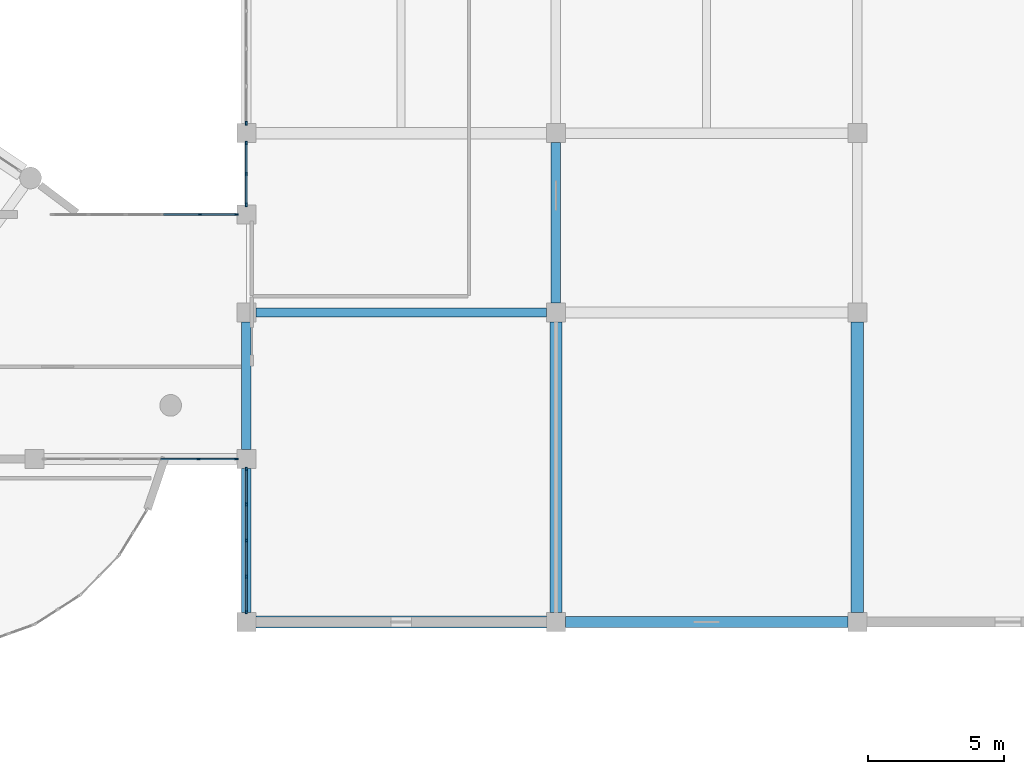
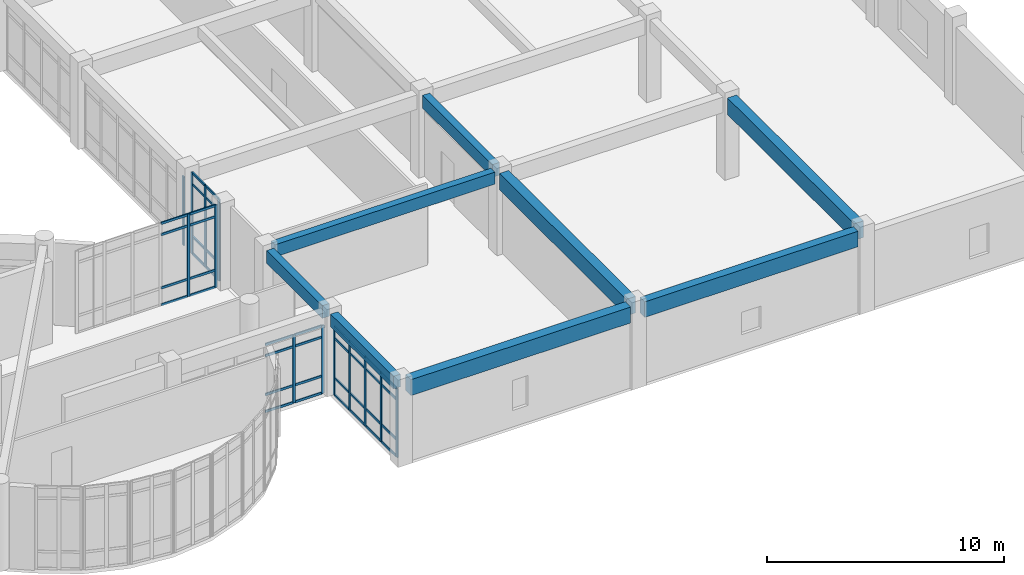
# One storey, part 23 of 57: 53 members, 8 beams, 5 elements without a shape of their own.
"""IFC4 building model written with IfcOpenShell, lengths in metres."""

from ifc_helpers import new_model, si_unit, direction, frame, origin, origin_2d, place, context, subcontext, project, spatial, rectangle, extrude, material, layer, layer_set, material_profile, profile_set, type_object, element, aggregate, save


model = new_model("IFC4")

# Units and contexts
model_context = context("Model", 3, precision=1e-05, world=origin(), true_north=direction((0.0, 1.0)))
body_context = subcontext(model_context, "Body", "Model", "MODEL_VIEW")
ifc_project = project(units=[si_unit("LENGTHUNIT", "METRE"), si_unit("AREAUNIT", "SQUARE_METRE"), si_unit("VOLUMEUNIT", "CUBIC_METRE"), si_unit("PLANEANGLEUNIT", "RADIAN"), si_unit("MASSUNIT", "GRAM", prefix="KILO")], contexts=[model_context])

# Site, building, storey
site_placement = place(None, origin())
site = spatial("IfcSite", under=ifc_project, at=site_placement, CompositionType="ELEMENT")
building_placement = place(site_placement, origin())
building = spatial("IfcBuilding", under=site, at=building_placement, Name="Miralva Faculty of Natural Sciences", CompositionType="ELEMENT")
storey_placement = place(building_placement, frame((0.0, 0.0, 15.0)))
storey = spatial("IfcBuildingStorey", under=building, at=storey_placement, Name="L03", CompositionType="ELEMENT", Elevation=15.0)

# Beams
ifc_material_1 = material(Name="Concrete C40/50", Category="concrete")
ifc_material_profile_1 = material_profile(ifc_material_1, rectangle(XDim=0.449951171875, YDim=0.85009765625, at=origin_2d()), Name="RC 450x850")
ifc_profile_set_1 = profile_set([ifc_material_profile_1], Name="Concrete C40/50")
beam_type_1 = type_object("IfcBeamType", Name="BM-B01", PredefinedType="BEAM", material=ifc_profile_set_1)
for number, where, z_axis, x_axis, name in (
    (1, (145.199951171875, 12.35009765625, 3.784912109375), (0.0, 1.0, 0.0), (-1.0, 0.0, 0.0), "Girder NS L03-119"),
    (2, (156.300048828125, 12.35009765625, 3.784912109375), (0.0, 1.0, 0.0), (-1.0, 0.0, 0.0), "Girder NS L03-126"),
):
    element("IfcBeam", number, at=place(storey_placement, frame(where, z_axis=z_axis, x_axis=x_axis)), inside=storey, type_object=beam_type_1, Name=name, PredefinedType="BEAM", context=body_context, shape_type="SweptSolid", body=[
        extrude(rectangle(XDim=0.449951171875, YDim=0.85009765625, at=origin_2d()), origin(), (0.0, 0.0, 1.0), 10.699951171875),
    ])
ifc_material_profile_2 = material_profile(ifc_material_1, rectangle(XDim=0.39990234375, YDim=0.800048828125, at=origin_2d()), Name="RC 400x800")
ifc_profile_set_2 = profile_set([ifc_material_profile_2], Name="Concrete C40/50")
beam_type_2 = type_object("IfcBeamType", Name="BM-B02", PredefinedType="BEAM", material=ifc_profile_set_2)
beam_1_placement = place(storey_placement, frame((145.550048828125, 12.0, 3.81005859375), z_axis=(1.0, 0.0, 0.0), x_axis=(0.0, 1.0, 0.0)))
element("IfcBeam", 3, at=beam_1_placement, inside=storey, type_object=beam_type_2, Name="Girder EW L03-12", PredefinedType="BEAM", context=body_context, shape_type="SweptSolid", body=[
    extrude(rectangle(XDim=0.39990234375, YDim=0.800048828125, at=origin_2d()), origin(), (0.0, 0.0, 1.0), 10.39990234375),
])
ifc_material_profile_3 = material_profile(ifc_material_1, rectangle(XDim=0.35009765625, YDim=0.64990234375, at=origin_2d()), Name="RC 350x650")
ifc_profile_set_3 = profile_set([ifc_material_profile_3], Name="Concrete C40/50")
beam_type_3 = type_object("IfcBeamType", Name="BM-B05", PredefinedType="BEAM", material=ifc_profile_set_3)
beam_2_placement = place(storey_placement, frame((133.800048828125, 12.35009765625, 3.885009765625), z_axis=(0.0, 1.0, 0.0), x_axis=(-1.0, 0.0, 0.0)))
element("IfcBeam", 4, at=beam_2_placement, inside=storey, type_object=beam_type_3, Name="Girder NS L03-112", PredefinedType="BEAM", context=body_context, shape_type="SweptSolid", body=[
    extrude(rectangle(XDim=0.35009765625, YDim=0.64990234375, at=origin_2d()), origin(), (0.0, 0.0, 1.0), 5.2998046875),
])
beam_3_placement = place(storey_placement, frame((133.800048828125, 18.35009765625, 3.885009765625), z_axis=(0.0, 1.0, 0.0), x_axis=(-1.0, 0.0, 0.0)))
element("IfcBeam", 5, at=beam_3_placement, inside=storey, type_object=beam_type_3, Name="Girder NS L03-113", PredefinedType="BEAM", context=body_context, shape_type="SweptSolid", body=[
    extrude(rectangle(XDim=0.35009765625, YDim=0.64990234375, at=origin_2d()), origin(), (0.0, 0.0, 1.0), 4.699951171875),
])
beam_4_placement = place(storey_placement, frame((145.199951171875, 23.75, 3.885009765625), z_axis=(0.0, 1.0, 0.0), x_axis=(-1.0, 0.0, 0.0)))
element("IfcBeam", 6, at=beam_4_placement, inside=storey, type_object=beam_type_3, Name="Girder NS L03-120", PredefinedType="BEAM", context=body_context, shape_type="SweptSolid", body=[
    extrude(rectangle(XDim=0.35009765625, YDim=0.64990234375, at=origin_2d()), origin(), (0.0, 0.0, 1.0), 5.89990234375),
])
ifc_material_profile_4 = material_profile(ifc_material_1, rectangle(XDim=0.340087890625, YDim=0.6201171875, at=origin_2d()), Name="RC 340x620")
ifc_profile_set_4 = profile_set([ifc_material_profile_4], Name="Concrete C40/50")
beam_type_4 = type_object("IfcBeamType", Name="BM-BG03", PredefinedType="BEAM", material=ifc_profile_set_4)
beam_5_placement = place(storey_placement, frame((134.14990234375, 23.39990234375, 3.89990234375), z_axis=(1.0, 0.0, 0.0), x_axis=(0.0, 1.0, 0.0)))
element("IfcBeam", 7, at=beam_5_placement, inside=storey, type_object=beam_type_4, Name="Girder EW L03-21", PredefinedType="BEAM", context=body_context, shape_type="SweptSolid", body=[
    extrude(rectangle(XDim=0.340087890625, YDim=0.6201171875, at=origin_2d()), origin(), (0.0, 0.0, 1.0), 10.7001953125),
])
ifc_material_profile_5 = material_profile(ifc_material_1, rectangle(XDim=0.4599609375, YDim=0.820068359375, at=origin_2d()), Name="RC 460x820")
ifc_profile_set_5 = profile_set([ifc_material_profile_5], Name="Concrete C40/50")
beam_type_5 = type_object("IfcBeamType", Name="BM-BG15", PredefinedType="BEAM", material=ifc_profile_set_5)
beam_6_placement = place(storey_placement, frame((134.14990234375, 12.0, 3.800048828125), z_axis=(1.0, 0.0, 0.0), x_axis=(0.0, 1.0, 0.0)))
element("IfcBeam", 8, at=beam_6_placement, inside=storey, type_object=beam_type_5, Name="Girder EW L03-11", PredefinedType="BEAM", context=body_context, shape_type="SweptSolid", body=[
    extrude(rectangle(XDim=0.4599609375, YDim=0.820068359375, at=origin_2d()), origin(), (0.0, 0.0, 1.0), 10.7001953125),
])

# Curtain wall, members
ifc_material_2 = material(Name="Laminated solar-control glass", Category="glass")
ifc_layer_1 = layer(ifc_material_2, 0.179931640625, Name="CW-COM-L03")
ifc_layer_set_1 = layer_set([ifc_layer_1], Name="Laminated solar-control glass")
curtain_wall_type_1 = type_object("IfcCurtainWallType", Name="CW-COM-L03", PredefinedType="USERDEFINED", material=ifc_layer_set_1)
curtain_wall_1_placement = place(storey_placement, origin())
curtain_wall_1 = element("IfcCurtainWall", 9, at=curtain_wall_1_placement, inside=storey, type_object=curtain_wall_type_1, Name="Curtain wall CW-11 L03-275", ObjectType="UNITISED CURTAIN WALL", PredefinedType="USERDEFINED")
ifc_material_3 = material(Name="Anodised aluminium", Category="aluminium")
ifc_material_profile_6 = material_profile(ifc_material_3, rectangle(XDim=0.06005859375, YDim=0.139892578125, at=origin_2d()), Name="MULLION 60x140")
ifc_profile_set_6 = profile_set([ifc_material_profile_6], Name="Anodised aluminium")
member_type_1 = type_object("IfcMemberType", Name="CW-M03", PredefinedType="MULLION", material=ifc_profile_set_6)
member_1_placement = place(storey_placement, frame((133.800048828125, 12.364990234375, 0.0), z_axis=(0.0, 0.0, 1.0), x_axis=(-1.0, 0.0, 0.0)))
member_1 = element("IfcMember", 10, at=member_1_placement, type_object=member_type_1, Name="CW-11 mullion 1", PredefinedType="MULLION", context=body_context, shape_type="SweptSolid", body=[
    extrude(rectangle(XDim=0.06005859375, YDim=0.139892578125, at=origin_2d()), origin(), (0.0, 0.0, 1.0), 3.554931640625),
])
member_2_placement = place(storey_placement, frame((133.800048828125, 13.66748046875, 0.0), z_axis=(0.0, 0.0, 1.0), x_axis=(-1.0, 0.0, 0.0)))
member_2 = element("IfcMember", 11, at=member_2_placement, type_object=member_type_1, Name="CW-11 mullion 2", PredefinedType="MULLION", context=body_context, shape_type="SweptSolid", body=[
    extrude(rectangle(XDim=0.06005859375, YDim=0.139892578125, at=origin_2d()), origin(), (0.0, 0.0, 1.0), 3.554931640625),
])
member_3_placement = place(storey_placement, frame((133.800048828125, 15.0, 0.0), z_axis=(0.0, 0.0, 1.0), x_axis=(-1.0, 0.0, 0.0)))
member_3 = element("IfcMember", 12, at=member_3_placement, type_object=member_type_1, Name="CW-11 mullion 3", PredefinedType="MULLION", context=body_context, shape_type="SweptSolid", body=[
    extrude(rectangle(XDim=0.06005859375, YDim=0.139892578125, at=origin_2d()), origin(), (0.0, 0.0, 1.0), 3.554931640625),
])
member_4_placement = place(storey_placement, frame((133.800048828125, 16.33251953125, 0.0), z_axis=(0.0, 0.0, 1.0), x_axis=(-1.0, 0.0, 0.0)))
member_4 = element("IfcMember", 13, at=member_4_placement, type_object=member_type_1, Name="CW-11 mullion 4", PredefinedType="MULLION", context=body_context, shape_type="SweptSolid", body=[
    extrude(rectangle(XDim=0.06005859375, YDim=0.139892578125, at=origin_2d()), origin(), (0.0, 0.0, 1.0), 3.554931640625),
])
member_5_placement = place(storey_placement, frame((133.800048828125, 17.635009765625, 0.0), z_axis=(0.0, 0.0, 1.0), x_axis=(-1.0, 0.0, 0.0)))
member_5 = element("IfcMember", 14, at=member_5_placement, type_object=member_type_1, Name="CW-11 mullion 5", PredefinedType="MULLION", context=body_context, shape_type="SweptSolid", body=[
    extrude(rectangle(XDim=0.06005859375, YDim=0.139892578125, at=origin_2d()), origin(), (0.0, 0.0, 1.0), 3.554931640625),
])

curtain_wall_2_placement = place(storey_placement, origin())
curtain_wall_2 = element("IfcCurtainWall", 15, at=curtain_wall_2_placement, inside=storey, type_object=curtain_wall_type_1, Name="Curtain wall CW-11 L03-276", ObjectType="UNITISED CURTAIN WALL", PredefinedType="USERDEFINED")
member_6_placement = place(storey_placement, frame((133.800048828125, 27.364990234375, 0.0), z_axis=(0.0, 0.0, 1.0), x_axis=(-1.0, 0.0, 0.0)))
member_6 = element("IfcMember", 16, at=member_6_placement, type_object=member_type_1, Name="CW-11 mullion 1", PredefinedType="MULLION", context=body_context, shape_type="SweptSolid", body=[
    extrude(rectangle(XDim=0.06005859375, YDim=0.139892578125, at=origin_2d()), origin(), (0.0, 0.0, 1.0), 4.199951171875),
])
member_7_placement = place(storey_placement, frame((133.800048828125, 28.5, 0.0), z_axis=(0.0, 0.0, 1.0), x_axis=(-1.0, 0.0, 0.0)))
member_7 = element("IfcMember", 17, at=member_7_placement, type_object=member_type_1, Name="CW-11 mullion 2", PredefinedType="MULLION", context=body_context, shape_type="SweptSolid", body=[
    extrude(rectangle(XDim=0.06005859375, YDim=0.139892578125, at=origin_2d()), origin(), (0.0, 0.0, 1.0), 4.199951171875),
])
member_8_placement = place(storey_placement, frame((133.800048828125, 29.635009765625, 0.0), z_axis=(0.0, 0.0, 1.0), x_axis=(-1.0, 0.0, 0.0)))
member_8 = element("IfcMember", 18, at=member_8_placement, type_object=member_type_1, Name="CW-11 mullion 3", PredefinedType="MULLION", context=body_context, shape_type="SweptSolid", body=[
    extrude(rectangle(XDim=0.06005859375, YDim=0.139892578125, at=origin_2d()), origin(), (0.0, 0.0, 1.0), 4.199951171875),
])

# Curtain wall, member
curtain_wall_3_placement = place(storey_placement, origin())
curtain_wall_3 = element("IfcCurtainWall", 19, at=curtain_wall_3_placement, inside=storey, type_object=curtain_wall_type_1, Name="Curtain wall CW-11 L03-277", ObjectType="UNITISED CURTAIN WALL", PredefinedType="USERDEFINED")
member_9_placement = place(storey_placement, frame((133.800048828125, 30.364990234375, 0.0), z_axis=(0.0, 0.0, 1.0), x_axis=(-1.0, 0.0, 0.0)))
member_9 = element("IfcMember", 20, at=member_9_placement, type_object=member_type_1, Name="CW-11 mullion 1", PredefinedType="MULLION", context=body_context, shape_type="SweptSolid", body=[
    extrude(rectangle(XDim=0.06005859375, YDim=0.139892578125, at=origin_2d()), origin(), (0.0, 0.0, 1.0), 3.554931640625),
])
aggregate(curtain_wall_3, [member_9])

# Curtain wall, members
ifc_layer_2 = layer(ifc_material_2, 0.179931640625, Name="CW-COM-L01")
ifc_layer_set_2 = layer_set([ifc_layer_2], Name="Laminated solar-control glass")
curtain_wall_type_2 = type_object("IfcCurtainWallType", Name="CW-COM-L01", PredefinedType="USERDEFINED", material=ifc_layer_set_2)
curtain_wall_4_placement = place(storey_placement, origin())
curtain_wall_4 = element("IfcCurtainWall", 21, at=curtain_wall_4_placement, inside=storey, type_object=curtain_wall_type_2, Name="Curtain wall CW-10 L03-302", ObjectType="UNITISED CURTAIN WALL", PredefinedType="USERDEFINED")
member_10_placement = place(storey_placement, frame((132.0390625, 18.0, 0.0), z_axis=(0.0, 0.0, 1.0), x_axis=(0.0, 1.0, 0.0)))
member_10 = element("IfcMember", 22, at=member_10_placement, type_object=member_type_1, Name="CW-10 mullion 5", PredefinedType="MULLION", context=body_context, shape_type="SweptSolid", body=[
    extrude(rectangle(XDim=0.06005859375, YDim=0.139892578125, at=origin_2d()), origin(), (0.0, 0.0, 1.0), 3.5048828125),
])
member_11_placement = place(storey_placement, frame((133.43505859375, 18.0, 0.0), z_axis=(0.0, 0.0, 1.0), x_axis=(0.0, 1.0, 0.0)))
member_11 = element("IfcMember", 23, at=member_11_placement, type_object=member_type_1, Name="CW-10 mullion 6", PredefinedType="MULLION", context=body_context, shape_type="SweptSolid", body=[
    extrude(rectangle(XDim=0.06005859375, YDim=0.139892578125, at=origin_2d()), origin(), (0.0, 0.0, 1.0), 3.5048828125),
])

curtain_wall_5_placement = place(storey_placement, origin())
curtain_wall_5 = element("IfcCurtainWall", 24, at=curtain_wall_5_placement, inside=storey, type_object=curtain_wall_type_2, Name="Curtain wall CW-10 L03-305", ObjectType="UNITISED CURTAIN WALL", PredefinedType="USERDEFINED")
member_12_placement = place(storey_placement, frame((132.095947265625, 27.0, 0.0), z_axis=(0.0, 0.0, 1.0), x_axis=(0.0, 1.0, 0.0)))
member_12 = element("IfcMember", 25, at=member_12_placement, type_object=member_type_1, Name="CW-10 mullion 5", PredefinedType="MULLION", context=body_context, shape_type="SweptSolid", body=[
    extrude(rectangle(XDim=0.06005859375, YDim=0.139892578125, at=origin_2d()), origin(), (0.0, 0.0, 1.0), 4.25),
])
member_13_placement = place(storey_placement, frame((133.43505859375, 27.0, 0.0), z_axis=(0.0, 0.0, 1.0), x_axis=(0.0, 1.0, 0.0)))
member_13 = element("IfcMember", 26, at=member_13_placement, type_object=member_type_1, Name="CW-10 mullion 6", PredefinedType="MULLION", context=body_context, shape_type="SweptSolid", body=[
    extrude(rectangle(XDim=0.06005859375, YDim=0.139892578125, at=origin_2d()), origin(), (0.0, 0.0, 1.0), 4.25),
])

# Member
ifc_material_profile_7 = material_profile(ifc_material_3, rectangle(XDim=0.06005859375, YDim=0.1201171875, at=origin_2d()), Name="TRANSOM 60x120")
ifc_profile_set_7 = profile_set([ifc_material_profile_7], Name="Anodised aluminium")
member_type_2 = type_object("IfcMemberType", Name="CW-T02", PredefinedType="USERDEFINED", material=ifc_profile_set_7)
member_14_placement = place(storey_placement, frame((133.800048828125, 12.39501953125, 0.030029296875), z_axis=(0.0, 1.0, 0.0), x_axis=(-1.0, 0.0, 0.0)))
member_14 = element("IfcMember", 27, at=member_14_placement, type_object=member_type_2, Name="CW-11 transom 1.1", ObjectType="TRANSOM", PredefinedType="USERDEFINED", context=body_context, shape_type="SweptSolid", body=[
    extrude(rectangle(XDim=0.06005859375, YDim=0.1201171875, at=origin_2d()), origin(), (0.0, 0.0, 1.0), 1.242431640625),
])

member_15_placement = place(storey_placement, frame((133.800048828125, 12.39501953125, 0.89990234375), z_axis=(0.0, 1.0, 0.0), x_axis=(-1.0, 0.0, 0.0)))
member_15 = element("IfcMember", 28, at=member_15_placement, type_object=member_type_2, Name="CW-11 transom 1.2", ObjectType="TRANSOM", PredefinedType="USERDEFINED", context=body_context, shape_type="SweptSolid", body=[
    extrude(rectangle(XDim=0.06005859375, YDim=0.1201171875, at=origin_2d()), origin(), (0.0, 0.0, 1.0), 1.242431640625),
])

member_16_placement = place(storey_placement, frame((133.800048828125, 12.39501953125, 2.955078125), z_axis=(0.0, 1.0, 0.0), x_axis=(-1.0, 0.0, 0.0)))
member_16 = element("IfcMember", 29, at=member_16_placement, type_object=member_type_2, Name="CW-11 transom 1.3", ObjectType="TRANSOM", PredefinedType="USERDEFINED", context=body_context, shape_type="SweptSolid", body=[
    extrude(rectangle(XDim=0.06005859375, YDim=0.1201171875, at=origin_2d()), origin(), (0.0, 0.0, 1.0), 1.242431640625),
])

member_17_placement = place(storey_placement, frame((133.800048828125, 12.39501953125, 3.52490234375), z_axis=(0.0, 1.0, 0.0), x_axis=(-1.0, 0.0, 0.0)))
member_17 = element("IfcMember", 30, at=member_17_placement, type_object=member_type_2, Name="CW-11 transom 1.4", ObjectType="TRANSOM", PredefinedType="USERDEFINED", context=body_context, shape_type="SweptSolid", body=[
    extrude(rectangle(XDim=0.06005859375, YDim=0.1201171875, at=origin_2d()), origin(), (0.0, 0.0, 1.0), 1.242431640625),
])

member_18_placement = place(storey_placement, frame((133.800048828125, 13.697509765625, 0.030029296875), z_axis=(0.0, 1.0, 0.0), x_axis=(-1.0, 0.0, 0.0)))
member_18 = element("IfcMember", 31, at=member_18_placement, type_object=member_type_2, Name="CW-11 transom 2.1", ObjectType="TRANSOM", PredefinedType="USERDEFINED", context=body_context, shape_type="SweptSolid", body=[
    extrude(rectangle(XDim=0.06005859375, YDim=0.1201171875, at=origin_2d()), origin(), (0.0, 0.0, 1.0), 1.2724609375),
])

member_19_placement = place(storey_placement, frame((133.800048828125, 13.697509765625, 0.89990234375), z_axis=(0.0, 1.0, 0.0), x_axis=(-1.0, 0.0, 0.0)))
member_19 = element("IfcMember", 32, at=member_19_placement, type_object=member_type_2, Name="CW-11 transom 2.2", ObjectType="TRANSOM", PredefinedType="USERDEFINED", context=body_context, shape_type="SweptSolid", body=[
    extrude(rectangle(XDim=0.06005859375, YDim=0.1201171875, at=origin_2d()), origin(), (0.0, 0.0, 1.0), 1.2724609375),
])

member_20_placement = place(storey_placement, frame((133.800048828125, 13.697509765625, 2.955078125), z_axis=(0.0, 1.0, 0.0), x_axis=(-1.0, 0.0, 0.0)))
member_20 = element("IfcMember", 33, at=member_20_placement, type_object=member_type_2, Name="CW-11 transom 2.3", ObjectType="TRANSOM", PredefinedType="USERDEFINED", context=body_context, shape_type="SweptSolid", body=[
    extrude(rectangle(XDim=0.06005859375, YDim=0.1201171875, at=origin_2d()), origin(), (0.0, 0.0, 1.0), 1.2724609375),
])

member_21_placement = place(storey_placement, frame((133.800048828125, 13.697509765625, 3.52490234375), z_axis=(0.0, 1.0, 0.0), x_axis=(-1.0, 0.0, 0.0)))
member_21 = element("IfcMember", 34, at=member_21_placement, type_object=member_type_2, Name="CW-11 transom 2.4", ObjectType="TRANSOM", PredefinedType="USERDEFINED", context=body_context, shape_type="SweptSolid", body=[
    extrude(rectangle(XDim=0.06005859375, YDim=0.1201171875, at=origin_2d()), origin(), (0.0, 0.0, 1.0), 1.2724609375),
])

member_22_placement = place(storey_placement, frame((133.800048828125, 15.030029296875, 0.030029296875), z_axis=(0.0, 1.0, 0.0), x_axis=(-1.0, 0.0, 0.0)))
member_22 = element("IfcMember", 35, at=member_22_placement, type_object=member_type_2, Name="CW-11 transom 3.1", ObjectType="TRANSOM", PredefinedType="USERDEFINED", context=body_context, shape_type="SweptSolid", body=[
    extrude(rectangle(XDim=0.06005859375, YDim=0.1201171875, at=origin_2d()), origin(), (0.0, 0.0, 1.0), 1.2724609375),
])

member_23_placement = place(storey_placement, frame((133.800048828125, 15.030029296875, 0.89990234375), z_axis=(0.0, 1.0, 0.0), x_axis=(-1.0, 0.0, 0.0)))
member_23 = element("IfcMember", 36, at=member_23_placement, type_object=member_type_2, Name="CW-11 transom 3.2", ObjectType="TRANSOM", PredefinedType="USERDEFINED", context=body_context, shape_type="SweptSolid", body=[
    extrude(rectangle(XDim=0.06005859375, YDim=0.1201171875, at=origin_2d()), origin(), (0.0, 0.0, 1.0), 1.2724609375),
])

member_24_placement = place(storey_placement, frame((133.800048828125, 15.030029296875, 2.955078125), z_axis=(0.0, 1.0, 0.0), x_axis=(-1.0, 0.0, 0.0)))
member_24 = element("IfcMember", 37, at=member_24_placement, type_object=member_type_2, Name="CW-11 transom 3.3", ObjectType="TRANSOM", PredefinedType="USERDEFINED", context=body_context, shape_type="SweptSolid", body=[
    extrude(rectangle(XDim=0.06005859375, YDim=0.1201171875, at=origin_2d()), origin(), (0.0, 0.0, 1.0), 1.2724609375),
])

member_25_placement = place(storey_placement, frame((133.800048828125, 15.030029296875, 3.52490234375), z_axis=(0.0, 1.0, 0.0), x_axis=(-1.0, 0.0, 0.0)))
member_25 = element("IfcMember", 38, at=member_25_placement, type_object=member_type_2, Name="CW-11 transom 3.4", ObjectType="TRANSOM", PredefinedType="USERDEFINED", context=body_context, shape_type="SweptSolid", body=[
    extrude(rectangle(XDim=0.06005859375, YDim=0.1201171875, at=origin_2d()), origin(), (0.0, 0.0, 1.0), 1.2724609375),
])

member_26_placement = place(storey_placement, frame((133.800048828125, 16.362548828125, 0.030029296875), z_axis=(0.0, 1.0, 0.0), x_axis=(-1.0, 0.0, 0.0)))
member_26 = element("IfcMember", 39, at=member_26_placement, type_object=member_type_2, Name="CW-11 transom 4.1", ObjectType="TRANSOM", PredefinedType="USERDEFINED", context=body_context, shape_type="SweptSolid", body=[
    extrude(rectangle(XDim=0.06005859375, YDim=0.1201171875, at=origin_2d()), origin(), (0.0, 0.0, 1.0), 1.242431640625),
])

member_27_placement = place(storey_placement, frame((133.800048828125, 16.362548828125, 0.89990234375), z_axis=(0.0, 1.0, 0.0), x_axis=(-1.0, 0.0, 0.0)))
member_27 = element("IfcMember", 40, at=member_27_placement, type_object=member_type_2, Name="CW-11 transom 4.2", ObjectType="TRANSOM", PredefinedType="USERDEFINED", context=body_context, shape_type="SweptSolid", body=[
    extrude(rectangle(XDim=0.06005859375, YDim=0.1201171875, at=origin_2d()), origin(), (0.0, 0.0, 1.0), 1.242431640625),
])

member_28_placement = place(storey_placement, frame((133.800048828125, 16.362548828125, 2.955078125), z_axis=(0.0, 1.0, 0.0), x_axis=(-1.0, 0.0, 0.0)))
member_28 = element("IfcMember", 41, at=member_28_placement, type_object=member_type_2, Name="CW-11 transom 4.3", ObjectType="TRANSOM", PredefinedType="USERDEFINED", context=body_context, shape_type="SweptSolid", body=[
    extrude(rectangle(XDim=0.06005859375, YDim=0.1201171875, at=origin_2d()), origin(), (0.0, 0.0, 1.0), 1.242431640625),
])

member_29_placement = place(storey_placement, frame((133.800048828125, 16.362548828125, 3.52490234375), z_axis=(0.0, 1.0, 0.0), x_axis=(-1.0, 0.0, 0.0)))
member_29 = element("IfcMember", 42, at=member_29_placement, type_object=member_type_2, Name="CW-11 transom 4.4", ObjectType="TRANSOM", PredefinedType="USERDEFINED", context=body_context, shape_type="SweptSolid", body=[
    extrude(rectangle(XDim=0.06005859375, YDim=0.1201171875, at=origin_2d()), origin(), (0.0, 0.0, 1.0), 1.242431640625),
])

aggregate(curtain_wall_1, [member_1, member_2, member_3, member_4, member_5, member_14, member_15, member_16, member_17, member_18, member_19, member_20, member_21, member_22, member_23, member_24, member_25, member_26, member_27, member_28, member_29])

member_30_placement = place(storey_placement, frame((133.800048828125, 27.39501953125, 0.030029296875), z_axis=(0.0, 1.0, 0.0), x_axis=(-1.0, 0.0, 0.0)))
member_30 = element("IfcMember", 43, at=member_30_placement, type_object=member_type_2, Name="CW-11 transom 1.1", ObjectType="TRANSOM", PredefinedType="USERDEFINED", context=body_context, shape_type="SweptSolid", body=[
    extrude(rectangle(XDim=0.06005859375, YDim=0.1201171875, at=origin_2d()), origin(), (0.0, 0.0, 1.0), 1.074951171875),
])

member_31_placement = place(storey_placement, frame((133.800048828125, 27.39501953125, 0.89990234375), z_axis=(0.0, 1.0, 0.0), x_axis=(-1.0, 0.0, 0.0)))
member_31 = element("IfcMember", 44, at=member_31_placement, type_object=member_type_2, Name="CW-11 transom 1.2", ObjectType="TRANSOM", PredefinedType="USERDEFINED", context=body_context, shape_type="SweptSolid", body=[
    extrude(rectangle(XDim=0.06005859375, YDim=0.1201171875, at=origin_2d()), origin(), (0.0, 0.0, 1.0), 1.074951171875),
])

member_32_placement = place(storey_placement, frame((133.800048828125, 27.39501953125, 3.60009765625), z_axis=(0.0, 1.0, 0.0), x_axis=(-1.0, 0.0, 0.0)))
member_32 = element("IfcMember", 45, at=member_32_placement, type_object=member_type_2, Name="CW-11 transom 1.3", ObjectType="TRANSOM", PredefinedType="USERDEFINED", context=body_context, shape_type="SweptSolid", body=[
    extrude(rectangle(XDim=0.06005859375, YDim=0.1201171875, at=origin_2d()), origin(), (0.0, 0.0, 1.0), 1.074951171875),
])

member_33_placement = place(storey_placement, frame((133.800048828125, 27.39501953125, 4.169921875), z_axis=(0.0, 1.0, 0.0), x_axis=(-1.0, 0.0, 0.0)))
member_33 = element("IfcMember", 46, at=member_33_placement, type_object=member_type_2, Name="CW-11 transom 1.4", ObjectType="TRANSOM", PredefinedType="USERDEFINED", context=body_context, shape_type="SweptSolid", body=[
    extrude(rectangle(XDim=0.06005859375, YDim=0.1201171875, at=origin_2d()), origin(), (0.0, 0.0, 1.0), 1.074951171875),
])

member_34_placement = place(storey_placement, frame((133.800048828125, 28.530029296875, 0.030029296875), z_axis=(0.0, 1.0, 0.0), x_axis=(-1.0, 0.0, 0.0)))
member_34 = element("IfcMember", 47, at=member_34_placement, type_object=member_type_2, Name="CW-11 transom 2.1", ObjectType="TRANSOM", PredefinedType="USERDEFINED", context=body_context, shape_type="SweptSolid", body=[
    extrude(rectangle(XDim=0.06005859375, YDim=0.1201171875, at=origin_2d()), origin(), (0.0, 0.0, 1.0), 1.074951171875),
])

member_35_placement = place(storey_placement, frame((133.800048828125, 28.530029296875, 0.89990234375), z_axis=(0.0, 1.0, 0.0), x_axis=(-1.0, 0.0, 0.0)))
member_35 = element("IfcMember", 48, at=member_35_placement, type_object=member_type_2, Name="CW-11 transom 2.2", ObjectType="TRANSOM", PredefinedType="USERDEFINED", context=body_context, shape_type="SweptSolid", body=[
    extrude(rectangle(XDim=0.06005859375, YDim=0.1201171875, at=origin_2d()), origin(), (0.0, 0.0, 1.0), 1.074951171875),
])

member_36_placement = place(storey_placement, frame((133.800048828125, 28.530029296875, 3.60009765625), z_axis=(0.0, 1.0, 0.0), x_axis=(-1.0, 0.0, 0.0)))
member_36 = element("IfcMember", 49, at=member_36_placement, type_object=member_type_2, Name="CW-11 transom 2.3", ObjectType="TRANSOM", PredefinedType="USERDEFINED", context=body_context, shape_type="SweptSolid", body=[
    extrude(rectangle(XDim=0.06005859375, YDim=0.1201171875, at=origin_2d()), origin(), (0.0, 0.0, 1.0), 1.074951171875),
])

member_37_placement = place(storey_placement, frame((133.800048828125, 28.530029296875, 4.169921875), z_axis=(0.0, 1.0, 0.0), x_axis=(-1.0, 0.0, 0.0)))
member_37 = element("IfcMember", 50, at=member_37_placement, type_object=member_type_2, Name="CW-11 transom 2.4", ObjectType="TRANSOM", PredefinedType="USERDEFINED", context=body_context, shape_type="SweptSolid", body=[
    extrude(rectangle(XDim=0.06005859375, YDim=0.1201171875, at=origin_2d()), origin(), (0.0, 0.0, 1.0), 1.074951171875),
])

aggregate(curtain_wall_2, [member_6, member_7, member_8, member_30, member_31, member_32, member_33, member_34, member_35, member_36, member_37])

member_38_placement = place(storey_placement, frame((130.64306640625, 18.0, 0.030029296875), z_axis=(1.0, 0.0, 0.0), x_axis=(0.0, 1.0, 0.0)))
member_38 = element("IfcMember", 51, at=member_38_placement, type_object=member_type_2, Name="CW-10 transom 4.1", ObjectType="TRANSOM", PredefinedType="USERDEFINED", context=body_context, shape_type="SweptSolid", body=[
    extrude(rectangle(XDim=0.06005859375, YDim=0.1201171875, at=origin_2d()), origin(), (0.0, 0.0, 1.0), 1.365966796875),
])

member_39_placement = place(storey_placement, frame((130.64306640625, 18.0, 0.89990234375), z_axis=(1.0, 0.0, 0.0), x_axis=(0.0, 1.0, 0.0)))
member_39 = element("IfcMember", 52, at=member_39_placement, type_object=member_type_2, Name="CW-10 transom 4.2", ObjectType="TRANSOM", PredefinedType="USERDEFINED", context=body_context, shape_type="SweptSolid", body=[
    extrude(rectangle(XDim=0.06005859375, YDim=0.1201171875, at=origin_2d()), origin(), (0.0, 0.0, 1.0), 1.365966796875),
])

member_40_placement = place(storey_placement, frame((130.64306640625, 18.0, 2.905029296875), z_axis=(1.0, 0.0, 0.0), x_axis=(0.0, 1.0, 0.0)))
member_40 = element("IfcMember", 53, at=member_40_placement, type_object=member_type_2, Name="CW-10 transom 4.3", ObjectType="TRANSOM", PredefinedType="USERDEFINED", context=body_context, shape_type="SweptSolid", body=[
    extrude(rectangle(XDim=0.06005859375, YDim=0.1201171875, at=origin_2d()), origin(), (0.0, 0.0, 1.0), 1.365966796875),
])

member_41_placement = place(storey_placement, frame((130.64306640625, 18.0, 3.47509765625), z_axis=(1.0, 0.0, 0.0), x_axis=(0.0, 1.0, 0.0)))
member_41 = element("IfcMember", 54, at=member_41_placement, type_object=member_type_2, Name="CW-10 transom 4.4", ObjectType="TRANSOM", PredefinedType="USERDEFINED", context=body_context, shape_type="SweptSolid", body=[
    extrude(rectangle(XDim=0.06005859375, YDim=0.1201171875, at=origin_2d()), origin(), (0.0, 0.0, 1.0), 1.365966796875),
])

member_42_placement = place(storey_placement, frame((132.069091796875, 18.0, 0.030029296875), z_axis=(1.0, 0.0, 0.0), x_axis=(0.0, 1.0, 0.0)))
member_42 = element("IfcMember", 55, at=member_42_placement, type_object=member_type_2, Name="CW-10 transom 5.1", ObjectType="TRANSOM", PredefinedType="USERDEFINED", context=body_context, shape_type="SweptSolid", body=[
    extrude(rectangle(XDim=0.06005859375, YDim=0.1201171875, at=origin_2d()), origin(), (0.0, 0.0, 1.0), 1.3359375),
])

member_43_placement = place(storey_placement, frame((132.069091796875, 18.0, 0.89990234375), z_axis=(1.0, 0.0, 0.0), x_axis=(0.0, 1.0, 0.0)))
member_43 = element("IfcMember", 56, at=member_43_placement, type_object=member_type_2, Name="CW-10 transom 5.2", ObjectType="TRANSOM", PredefinedType="USERDEFINED", context=body_context, shape_type="SweptSolid", body=[
    extrude(rectangle(XDim=0.06005859375, YDim=0.1201171875, at=origin_2d()), origin(), (0.0, 0.0, 1.0), 1.3359375),
])

member_44_placement = place(storey_placement, frame((132.069091796875, 18.0, 2.905029296875), z_axis=(1.0, 0.0, 0.0), x_axis=(0.0, 1.0, 0.0)))
member_44 = element("IfcMember", 57, at=member_44_placement, type_object=member_type_2, Name="CW-10 transom 5.3", ObjectType="TRANSOM", PredefinedType="USERDEFINED", context=body_context, shape_type="SweptSolid", body=[
    extrude(rectangle(XDim=0.06005859375, YDim=0.1201171875, at=origin_2d()), origin(), (0.0, 0.0, 1.0), 1.3359375),
])

member_45_placement = place(storey_placement, frame((132.069091796875, 18.0, 3.47509765625), z_axis=(1.0, 0.0, 0.0), x_axis=(0.0, 1.0, 0.0)))
member_45 = element("IfcMember", 58, at=member_45_placement, type_object=member_type_2, Name="CW-10 transom 5.4", ObjectType="TRANSOM", PredefinedType="USERDEFINED", context=body_context, shape_type="SweptSolid", body=[
    extrude(rectangle(XDim=0.06005859375, YDim=0.1201171875, at=origin_2d()), origin(), (0.0, 0.0, 1.0), 1.3359375),
])

aggregate(curtain_wall_4, [member_10, member_11, member_38, member_39, member_40, member_41, member_42, member_43, member_44, member_45])

member_46_placement = place(storey_placement, frame((130.757080078125, 27.0, 0.030029296875), z_axis=(1.0, 0.0, 0.0), x_axis=(0.0, 1.0, 0.0)))
member_46 = element("IfcMember", 59, at=member_46_placement, type_object=member_type_2, Name="CW-10 transom 4.1", ObjectType="TRANSOM", PredefinedType="USERDEFINED", context=body_context, shape_type="SweptSolid", body=[
    extrude(rectangle(XDim=0.06005859375, YDim=0.1201171875, at=origin_2d()), origin(), (0.0, 0.0, 1.0), 1.308837890625),
])

member_47_placement = place(storey_placement, frame((130.757080078125, 27.0, 0.89990234375), z_axis=(1.0, 0.0, 0.0), x_axis=(0.0, 1.0, 0.0)))
member_47 = element("IfcMember", 60, at=member_47_placement, type_object=member_type_2, Name="CW-10 transom 4.2", ObjectType="TRANSOM", PredefinedType="USERDEFINED", context=body_context, shape_type="SweptSolid", body=[
    extrude(rectangle(XDim=0.06005859375, YDim=0.1201171875, at=origin_2d()), origin(), (0.0, 0.0, 1.0), 1.308837890625),
])

member_48_placement = place(storey_placement, frame((130.757080078125, 27.0, 3.64990234375), z_axis=(1.0, 0.0, 0.0), x_axis=(0.0, 1.0, 0.0)))
member_48 = element("IfcMember", 61, at=member_48_placement, type_object=member_type_2, Name="CW-10 transom 4.3", ObjectType="TRANSOM", PredefinedType="USERDEFINED", context=body_context, shape_type="SweptSolid", body=[
    extrude(rectangle(XDim=0.06005859375, YDim=0.1201171875, at=origin_2d()), origin(), (0.0, 0.0, 1.0), 1.308837890625),
])

member_49_placement = place(storey_placement, frame((130.757080078125, 27.0, 4.219970703125), z_axis=(1.0, 0.0, 0.0), x_axis=(0.0, 1.0, 0.0)))
member_49 = element("IfcMember", 62, at=member_49_placement, type_object=member_type_2, Name="CW-10 transom 4.4", ObjectType="TRANSOM", PredefinedType="USERDEFINED", context=body_context, shape_type="SweptSolid", body=[
    extrude(rectangle(XDim=0.06005859375, YDim=0.1201171875, at=origin_2d()), origin(), (0.0, 0.0, 1.0), 1.308837890625),
])

member_50_placement = place(storey_placement, frame((132.1259765625, 27.0, 0.030029296875), z_axis=(1.0, 0.0, 0.0), x_axis=(0.0, 1.0, 0.0)))
member_50 = element("IfcMember", 63, at=member_50_placement, type_object=member_type_2, Name="CW-10 transom 5.1", ObjectType="TRANSOM", PredefinedType="USERDEFINED", context=body_context, shape_type="SweptSolid", body=[
    extrude(rectangle(XDim=0.06005859375, YDim=0.1201171875, at=origin_2d()), origin(), (0.0, 0.0, 1.0), 1.279052734375),
])

member_51_placement = place(storey_placement, frame((132.1259765625, 27.0, 0.89990234375), z_axis=(1.0, 0.0, 0.0), x_axis=(0.0, 1.0, 0.0)))
member_51 = element("IfcMember", 64, at=member_51_placement, type_object=member_type_2, Name="CW-10 transom 5.2", ObjectType="TRANSOM", PredefinedType="USERDEFINED", context=body_context, shape_type="SweptSolid", body=[
    extrude(rectangle(XDim=0.06005859375, YDim=0.1201171875, at=origin_2d()), origin(), (0.0, 0.0, 1.0), 1.279052734375),
])

member_52_placement = place(storey_placement, frame((132.1259765625, 27.0, 3.64990234375), z_axis=(1.0, 0.0, 0.0), x_axis=(0.0, 1.0, 0.0)))
member_52 = element("IfcMember", 65, at=member_52_placement, type_object=member_type_2, Name="CW-10 transom 5.3", ObjectType="TRANSOM", PredefinedType="USERDEFINED", context=body_context, shape_type="SweptSolid", body=[
    extrude(rectangle(XDim=0.06005859375, YDim=0.1201171875, at=origin_2d()), origin(), (0.0, 0.0, 1.0), 1.279052734375),
])

member_53_placement = place(storey_placement, frame((132.1259765625, 27.0, 4.219970703125), z_axis=(1.0, 0.0, 0.0), x_axis=(0.0, 1.0, 0.0)))
member_53 = element("IfcMember", 66, at=member_53_placement, type_object=member_type_2, Name="CW-10 transom 5.4", ObjectType="TRANSOM", PredefinedType="USERDEFINED", context=body_context, shape_type="SweptSolid", body=[
    extrude(rectangle(XDim=0.06005859375, YDim=0.1201171875, at=origin_2d()), origin(), (0.0, 0.0, 1.0), 1.279052734375),
])

aggregate(curtain_wall_5, [member_12, member_13, member_46, member_47, member_48, member_49, member_50, member_51, member_52, member_53])

save(model, "model.ifc")
